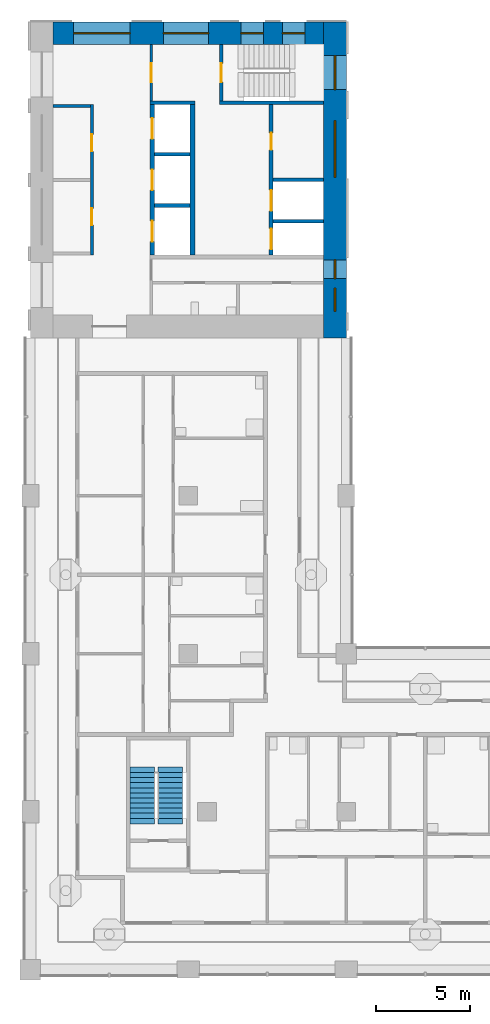
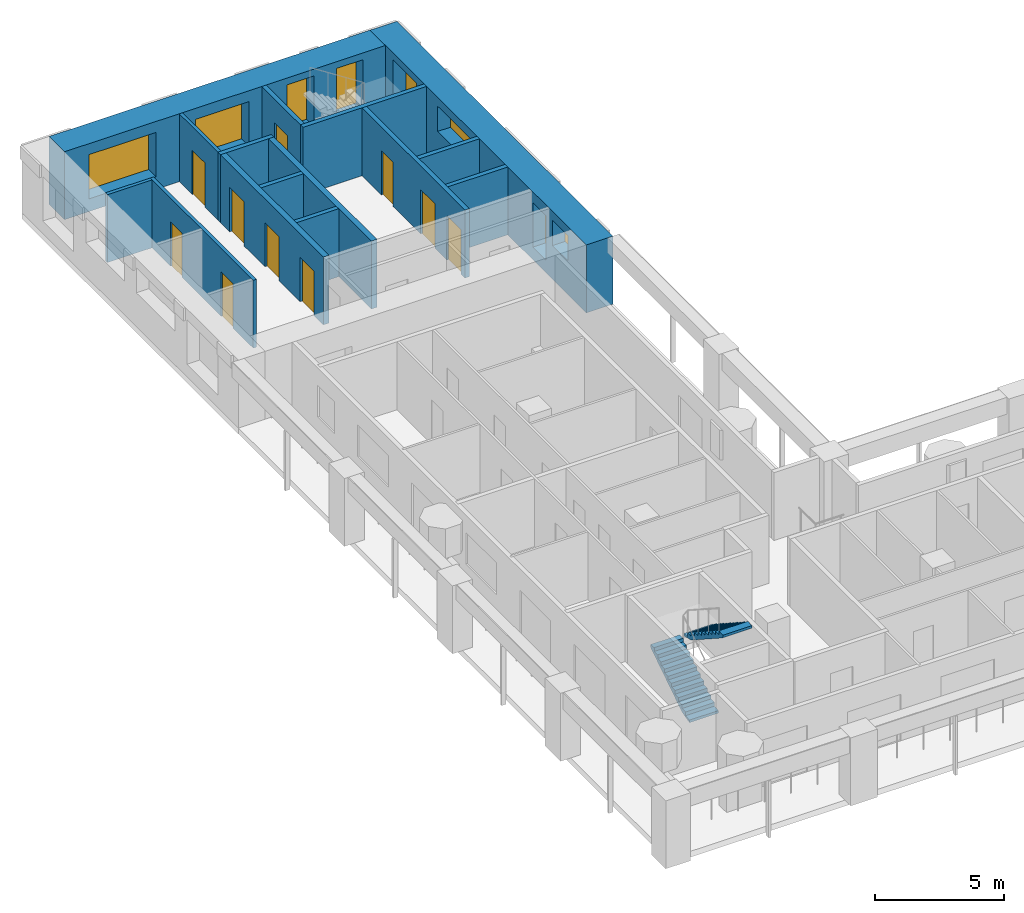
# One storey, part 6 of 13: 15 walls, 10 doors, 8 windows, 2 stair flights, 18 openings, 1 element without a shape of its own.
"""IFC4 building model written with IfcOpenShell, lengths in metres."""

from ifc_helpers import new_model, si_unit, direction, frame, frame_2d, origin, place, context, subcontext, project, spatial, polyline, rectangle, outline, extrude, material, layer, layer_set, type_object, element, fill, aggregate, save


model = new_model("IFC4")

# Units and contexts
model_context = context("Model", 3, precision=1e-05, world=origin(), true_north=direction((0.0, 1.0)))
body_context = subcontext(model_context, "Body", "Model", "MODEL_VIEW")
ifc_project = project(units=[si_unit("LENGTHUNIT", "METRE"), si_unit("AREAUNIT", "SQUARE_METRE"), si_unit("VOLUMEUNIT", "CUBIC_METRE"), si_unit("PLANEANGLEUNIT", "RADIAN"), si_unit("MASSUNIT", "GRAM", prefix="KILO")], contexts=[model_context])

# Site, building, storey
site_placement = place(None, origin())
site = spatial("IfcSite", under=ifc_project, at=site_placement, CompositionType="ELEMENT")
building_placement = place(site_placement, origin())
building = spatial("IfcBuilding", under=site, at=building_placement, Name="Vermilion Gate Residences", CompositionType="ELEMENT")
storey_placement = place(building_placement, frame((0.0, 0.0, 182.699951171875)))
storey = spatial("IfcBuildingStorey", under=building, at=storey_placement, Name="L47", CompositionType="ELEMENT", Elevation=182.699951171875)

# Wall
ifc_material_1 = material(Name="Masonry blockwork", Category="masonry")
ifc_layer_1 = layer(ifc_material_1, 0.14990234375)
ifc_layer_set_1 = layer_set([ifc_layer_1], Name="BLOCKWORK PARTITION 150 EI 120")
wall_type_1 = type_object("IfcWallType", Name="BLOCKWORK PARTITION 150 EI 120", PredefinedType="PARTITIONING", material=ifc_layer_set_1)
wall_1_placement = place(storey_placement, frame((9.60009765625, 54.324951171875, 0.0), z_axis=(0.0, 0.0, 1.0), x_axis=(1.0, 0.0, 0.0)))
element("IfcWall", 1, at=wall_1_placement, inside=storey, type_object=wall_type_1, Name="Core room partition B47-RW-W", PredefinedType="PARTITIONING", context=body_context, shape_type="SweptSolid", body=[
    extrude(rectangle(XDim=2.0, YDim=0.14990234375, at=frame_2d((1.0, 0.0))), origin(), (0.0, 0.0, 1.0), 3.219970703125),
])

# Wall, openings, doors
wall_2_placement = place(storey_placement, frame((11.675048828125, 54.39990234375, 0.0), z_axis=(0.0, 0.0, 1.0), x_axis=(0.0, -1.0, 0.0)))
wall_2 = element("IfcWall", 2, at=wall_2_placement, inside=storey, type_object=wall_type_1, Name="Core room partition B47-LR-F", PredefinedType="PARTITIONING", context=body_context, shape_type="SweptSolid", body=[
    extrude(rectangle(XDim=8.0, YDim=0.14990234375, at=frame_2d((4.0, 0.0))), origin(), (0.0, 0.0, 1.0), 3.219970703125),
])
opening_1_placement = place(wall_2_placement, frame((1.58740234375, 0.0, 0.0)))
opening_1 = element("IfcOpeningElement", 3, at=opening_1_placement, cuts=wall_2, Name="Opening DK47102", PredefinedType="OPENING", context=body_context, shape_type="SweptSolid", body=[
    extrude(rectangle(XDim=0.89990234375, YDim=2.10009765625, at=frame_2d((0.449951171875, 1.050048828125))), frame((0.0, 0.0849609375, 0.0), z_axis=(0.0, -1.0, 0.0), x_axis=(1.0, 0.0, 0.0)), (0.0, 0.0, 1.0), 0.169921875),
])
opening_2_placement = place(wall_2_placement, frame((5.512451171875, 0.0, 0.0)))
opening_2 = element("IfcOpeningElement", 4, at=opening_2_placement, cuts=wall_2, Name="Opening DK47103", PredefinedType="OPENING", context=body_context, shape_type="SweptSolid", body=[
    extrude(rectangle(XDim=0.89990234375, YDim=2.10009765625, at=frame_2d((0.449951171875, 1.050048828125))), frame((0.0, 0.0849609375, 0.0), z_axis=(0.0, -1.0, 0.0), x_axis=(1.0, 0.0, 0.0)), (0.0, 0.0, 1.0), 0.169921875),
])
ifc_material_2 = material(Name="Steel", Category="steel")
door_type_1 = type_object("IfcDoorType", Name="SERVICE ROOM DOOR FD60 900 X 2100", OperationType="SINGLE_SWING_LEFT", PredefinedType="DOOR", material=ifc_material_2)
door_1_placement = place(opening_1_placement, frame((0.89990234375, 0.0, 0.0), z_axis=(0.0, 0.0, 1.0), x_axis=(-1.0, 0.0, 0.0)))
door_1 = element("IfcDoor", 5, at=door_1_placement, inside=storey, type_object=door_type_1, Name="Mail room B47", OperationType="SINGLE_SWING_RIGHT", OverallHeight=2.10009765625, OverallWidth=0.89990234375, PredefinedType="DOOR", context=body_context, shape_type="SweptSolid", body=[
    extrude(rectangle(XDim=0.89990234375, YDim=2.10009765625, at=frame_2d((0.449951171875, 1.050048828125))), frame((0.0, 0.02490234375, 0.0), z_axis=(0.0, -1.0, 0.0), x_axis=(1.0, 0.0, 0.0)), (0.0, 0.0, 1.0), 0.050048828125),
])
fill(opening_1, door_1)
door_2_placement = place(opening_2_placement, frame((0.89990234375, 0.0, 0.0), z_axis=(0.0, 0.0, 1.0), x_axis=(-1.0, 0.0, 0.0)))
door_2 = element("IfcDoor", 6, at=door_2_placement, inside=storey, type_object=door_type_1, Name="Cleaner's store B47", OperationType="SINGLE_SWING_LEFT", OverallHeight=2.10009765625, OverallWidth=0.89990234375, PredefinedType="DOOR", context=body_context, shape_type="SweptSolid", body=[
    extrude(rectangle(XDim=0.89990234375, YDim=2.10009765625, at=frame_2d((0.449951171875, 1.050048828125))), frame((0.0, 0.02490234375, 0.0), z_axis=(0.0, -1.0, 0.0), x_axis=(1.0, 0.0, 0.0)), (0.0, 0.0, 1.0), 0.050048828125),
])
fill(opening_2, door_2)

# Wall, opening, door
wall_3_placement = place(storey_placement, frame((14.824951171875, 57.60009765625, 0.0), z_axis=(0.0, 0.0, 1.0), x_axis=(0.0, -1.0, 0.0)))
wall_3 = element("IfcWall", 7, at=wall_3_placement, inside=storey, type_object=wall_type_1, Name="Core room partition B47-VW-S", PredefinedType="PARTITIONING", context=body_context, shape_type="SweptSolid", body=[
    extrude(rectangle(XDim=3.0, YDim=0.14990234375, at=frame_2d((1.5, 0.0))), origin(), (0.0, 0.0, 1.0), 3.219970703125),
])
opening_3_placement = place(wall_3_placement, frame((1.0, 0.0, 0.0)))
opening_3 = element("IfcOpeningElement", 8, at=opening_3_placement, cuts=wall_3, Name="Opening DK47110", PredefinedType="OPENING", context=body_context, shape_type="SweptSolid", body=[
    extrude(rectangle(XDim=1.0, YDim=2.10009765625, at=frame_2d((0.5, 1.050048828125))), frame((0.0, 0.0849609375, 0.0), z_axis=(0.0, -1.0, 0.0), x_axis=(1.0, 0.0, 0.0)), (0.0, 0.0, 1.0), 0.169921875),
])
ifc_material_3 = material(Name="Steel", Category="steel")
door_type_2 = type_object("IfcDoorType", Name="FIRE DOOR FD60 1000 X 2100", OperationType="SINGLE_SWING_LEFT", PredefinedType="DOOR", material=ifc_material_3)
door_3_placement = place(opening_3_placement, frame((1.0, 0.0, 0.0), z_axis=(0.0, 0.0, 1.0), x_axis=(-1.0, 0.0, 0.0)))
door_3 = element("IfcDoor", 9, at=door_3_placement, inside=storey, type_object=door_type_2, Name="Stair vestibule door B47", OperationType="SINGLE_SWING_RIGHT", OverallHeight=2.10009765625, OverallWidth=1.0, PredefinedType="DOOR", context=body_context, shape_type="SweptSolid", body=[
    extrude(rectangle(XDim=1.0, YDim=2.10009765625, at=frame_2d((0.5, 1.050048828125))), frame((0.0, 0.02490234375, 0.0), z_axis=(0.0, -1.0, 0.0), x_axis=(1.0, 0.0, 0.0)), (0.0, 0.0, 1.0), 0.050048828125),
])
fill(opening_3, door_3)

# Walls
ifc_material_4 = material(Name="Concrete C60", Category="concrete")
ifc_layer_2 = layer(ifc_material_4, 0.199951171875)
ifc_layer_set_2 = layer_set([ifc_layer_2], Name="RC CORE INTERNAL WALL 200 C60")
wall_type_2 = type_object("IfcWallType", Name="RC CORE INTERNAL WALL 200 C60", PredefinedType="SHEAR", material=ifc_layer_set_2)
for number, where, z_axis, x_axis, name in (
    (10, (15.0, 51.7666015625, 0.0), (0.0, 0.0, 1.0), (1.0, 0.0, 0.0), "Core internal wall B47-HR-D1"),
    (11, (15.0, 49.033447265625, 0.0), (0.0, 0.0, 1.0), (1.0, 0.0, 0.0), "Core internal wall B47-HR-D2"),
):
    element("IfcWall", number, at=place(storey_placement, frame(where, z_axis=z_axis, x_axis=x_axis)), inside=storey, type_object=wall_type_2, Name=name, PredefinedType="SHEAR", context=body_context, shape_type="SweptSolid", body=[
        extrude(rectangle(XDim=1.89990234375, YDim=0.199951171875, at=frame_2d((0.949951171875, 0.0))), origin(), (0.0, 0.0, 1.0), 3.219970703125),
    ])
for number, where, z_axis, x_axis, name in (
    (12, (21.300048828125, 50.39990234375, 0.0), (0.0, 0.0, 1.0), (1.0, 0.0, 0.0), "Core internal wall B47-FF-D0"),
    (13, (21.300048828125, 48.199951171875, 0.0), (0.0, 0.0, 1.0), (1.0, 0.0, 0.0), "Core internal wall B47-FF-D1"),
):
    element("IfcWall", number, at=place(storey_placement, frame(where, z_axis=z_axis, x_axis=x_axis)), inside=storey, type_object=wall_type_2, Name=name, PredefinedType="SHEAR", context=body_context, shape_type="SweptSolid", body=[
        extrude(rectangle(XDim=2.699951171875, YDim=0.199951171875, at=frame_2d((1.35009765625, 0.0))), origin(), (0.0, 0.0, 1.0), 3.219970703125),
    ])

# Wall, openings, doors
wall_4_placement = place(storey_placement, frame((21.199951171875, 54.39990234375, 0.0), z_axis=(0.0, 0.0, 1.0), x_axis=(0.0, -1.0, 0.0)))
wall_4 = element("IfcWall", 14, at=wall_4_placement, inside=storey, type_object=wall_type_2, Name="Core internal wall B47-FF-F", PredefinedType="SHEAR", context=body_context, shape_type="SweptSolid", body=[
    extrude(rectangle(XDim=8.0, YDim=0.199951171875, at=frame_2d((4.0, 0.0))), origin(), (0.0, 0.0, 1.0), 3.219970703125),
])
opening_4_placement = place(wall_4_placement, frame((1.5, 0.0, 0.0)))
opening_4 = element("IfcOpeningElement", 15, at=opening_4_placement, cuts=wall_4, Name="Opening DK47107", PredefinedType="OPENING", context=body_context, shape_type="SweptSolid", body=[
    extrude(rectangle(XDim=0.89990234375, YDim=2.10009765625, at=frame_2d((0.449951171875, 1.050048828125))), frame((0.0, 0.10986328125, 0.0), z_axis=(0.0, -1.0, 0.0), x_axis=(1.0, 0.0, 0.0)), (0.0, 0.0, 1.0), 0.219970703125),
])
opening_5_placement = place(wall_4_placement, frame((4.550048828125, 0.0, 0.0)))
opening_5 = element("IfcOpeningElement", 16, at=opening_5_placement, cuts=wall_4, Name="Opening LD", PredefinedType="OPENING", context=body_context, shape_type="SweptSolid", body=[
    extrude(rectangle(XDim=1.10009765625, YDim=2.10009765625, at=frame_2d((0.550048828125, 1.050048828125))), frame((0.0, 0.10986328125, 0.0), z_axis=(0.0, -1.0, 0.0), x_axis=(1.0, 0.0, 0.0)), (0.0, 0.0, 1.0), 0.219970703125),
])
opening_6_placement = place(wall_4_placement, frame((6.60009765625, 0.0, 0.0)))
opening_6 = element("IfcOpeningElement", 17, at=opening_6_placement, cuts=wall_4, Name="Opening LD", PredefinedType="OPENING", context=body_context, shape_type="SweptSolid", body=[
    extrude(rectangle(XDim=1.10009765625, YDim=2.10009765625, at=frame_2d((0.550048828125, 1.050048828125))), frame((0.0, 0.10986328125, 0.0), z_axis=(0.0, -1.0, 0.0), x_axis=(1.0, 0.0, 0.0)), (0.0, 0.0, 1.0), 0.219970703125),
])
ifc_material_5 = material(Name="Stainless steel", Category="steel")
door_type_3 = type_object("IfcDoorType", Name="LIFT LANDING DOOR E60 1100 X 2100", OperationType="DOUBLE_DOOR_SLIDING", PredefinedType="DOOR", material=ifc_material_5)
door_4_placement = place(opening_5_placement, origin())
door_4 = element("IfcDoor", 18, at=door_4_placement, inside=storey, type_object=door_type_3, Name="Lift landing door LFB1", OperationType="DOUBLE_DOOR_SLIDING", OverallHeight=2.10009765625, OverallWidth=1.10009765625, PredefinedType="DOOR", context=body_context, shape_type="SweptSolid", body=[
    extrude(rectangle(XDim=1.10009765625, YDim=2.10009765625, at=frame_2d((0.550048828125, 1.050048828125))), frame((0.0, 0.02490234375, 0.0), z_axis=(0.0, -1.0, 0.0), x_axis=(1.0, 0.0, 0.0)), (0.0, 0.0, 1.0), 0.050048828125),
])
fill(opening_5, door_4)
door_5_placement = place(opening_6_placement, origin())
door_5 = element("IfcDoor", 19, at=door_5_placement, inside=storey, type_object=door_type_3, Name="Lift landing door LCB1", OperationType="DOUBLE_DOOR_SLIDING", OverallHeight=2.10009765625, OverallWidth=1.10009765625, PredefinedType="DOOR", context=body_context, shape_type="SweptSolid", body=[
    extrude(rectangle(XDim=1.10009765625, YDim=2.10009765625, at=frame_2d((0.550048828125, 1.050048828125))), frame((0.0, 0.02490234375, 0.0), z_axis=(0.0, -1.0, 0.0), x_axis=(1.0, 0.0, 0.0)), (0.0, 0.0, 1.0), 0.050048828125),
])
fill(opening_6, door_5)
door_6_placement = place(opening_4_placement, origin())
door_6 = element("IfcDoor", 20, at=door_6_placement, inside=storey, type_object=door_type_1, Name="Housekeeping store B47", OperationType="SINGLE_SWING_LEFT", OverallHeight=2.10009765625, OverallWidth=0.89990234375, PredefinedType="DOOR", context=body_context, shape_type="SweptSolid", body=[
    extrude(rectangle(XDim=0.89990234375, YDim=2.10009765625, at=frame_2d((0.449951171875, 1.050048828125))), frame((0.0, 0.02490234375, 0.0), z_axis=(0.0, -1.0, 0.0), x_axis=(1.0, 0.0, 0.0)), (0.0, 0.0, 1.0), 0.050048828125),
])
fill(opening_4, door_6)

# Walls
wall_5_placement = place(storey_placement, frame((14.75, 54.5, 0.0), z_axis=(0.0, 0.0, 1.0), x_axis=(1.0, 0.0, 0.0)))
element("IfcWall", 21, at=wall_5_placement, inside=storey, type_object=wall_type_2, Name="Core internal wall B47-WDIV1", PredefinedType="SHEAR", context=body_context, shape_type="SweptSolid", body=[
    extrude(rectangle(XDim=2.39990234375, YDim=0.199951171875, at=frame_2d((1.199951171875, 0.0))), origin(), (0.0, 0.0, 1.0), 3.219970703125),
])
wall_6_placement = place(storey_placement, frame((18.449951171875, 54.5, 0.0), z_axis=(0.0, 0.0, 1.0), x_axis=(1.0, 0.0, 0.0)))
element("IfcWall", 22, at=wall_6_placement, inside=storey, type_object=wall_type_2, Name="Core internal wall B47-WDIV2", PredefinedType="SHEAR", context=body_context, shape_type="SweptSolid", body=[
    extrude(rectangle(XDim=5.550048828125, YDim=0.199951171875, at=frame_2d((2.77490234375, 0.0))), origin(), (0.0, 0.0, 1.0), 3.219970703125),
])

# Wall, opening, door
wall_7_placement = place(storey_placement, frame((18.550048828125, 57.60009765625, 0.0), z_axis=(0.0, 0.0, 1.0), x_axis=(0.0, -1.0, 0.0)))
wall_7 = element("IfcWall", 23, at=wall_7_placement, inside=storey, type_object=wall_type_2, Name="Core internal wall B47-STW-S", PredefinedType="SHEAR", context=body_context, shape_type="SweptSolid", body=[
    extrude(rectangle(XDim=3.0, YDim=0.199951171875, at=frame_2d((1.5, 0.0))), origin(), (0.0, 0.0, 1.0), 3.219970703125),
])
opening_7_placement = place(wall_7_placement, frame((1.0, 0.0, 0.0)))
opening_7 = element("IfcOpeningElement", 24, at=opening_7_placement, cuts=wall_7, Name="Opening DK47111", PredefinedType="OPENING", context=body_context, shape_type="SweptSolid", body=[
    extrude(rectangle(XDim=1.0, YDim=2.10009765625, at=frame_2d((0.5, 1.050048828125))), frame((0.0, 0.10986328125, 0.0), z_axis=(0.0, -1.0, 0.0), x_axis=(1.0, 0.0, 0.0)), (0.0, 0.0, 1.0), 0.219970703125),
])
door_7_placement = place(opening_7_placement, origin())
door_7 = element("IfcDoor", 25, at=door_7_placement, inside=storey, type_object=door_type_2, Name="Stair door B47", OperationType="SINGLE_SWING_LEFT", OverallHeight=2.10009765625, OverallWidth=1.0, PredefinedType="DOOR", context=body_context, shape_type="SweptSolid", body=[
    extrude(rectangle(XDim=1.0, YDim=2.10009765625, at=frame_2d((0.5, 1.050048828125))), frame((0.0, 0.02490234375, 0.0), z_axis=(0.0, -1.0, 0.0), x_axis=(1.0, 0.0, 0.0)), (0.0, 0.0, 1.0), 0.050048828125),
])
fill(opening_7, door_7)

# Wall, openings, windows
ifc_material_6 = material(Name="Concrete C60 red-oxide pigmented", Category="concrete")
ifc_layer_3 = layer(ifc_material_6, 1.199951171875)
ifc_layer_set_3 = layer_set([ifc_layer_3], Name="RC CORE WALL 1200 C60 RED OXIDE")
wall_type_3 = type_object("IfcWallType", Name="RC CORE WALL 1200 C60 RED OXIDE", PredefinedType="SHEAR", material=ifc_layer_set_3)
wall_8_placement = place(storey_placement, frame((24.60009765625, 58.800048828125, 0.0), z_axis=(0.0, 0.0, 1.0), x_axis=(0.0, -1.0, 0.0)))
wall_8 = element("IfcWall", 26, at=wall_8_placement, inside=storey, type_object=wall_type_3, Name="Core wall B47-OUT-B1", PredefinedType="SHEAR", context=body_context, shape_type="SweptSolid", body=[
    extrude(rectangle(XDim=16.800048828125, YDim=1.199951171875, at=frame_2d((8.39990234375, 0.0))), origin(), (0.0, 0.0, 1.0), 3.219970703125),
])
opening_8_placement = place(wall_8_placement, frame((1.800048828125, 0.0, 0.5)))
opening_8 = element("IfcOpeningElement", 27, at=opening_8_placement, cuts=wall_8, Name="Opening WKB4705", PredefinedType="OPENING", context=body_context, shape_type="SweptSolid", body=[
    extrude(rectangle(XDim=1.800048828125, YDim=2.39990234375, at=frame_2d((0.89990234375, 1.199951171875))), frame((0.0, 0.60986328125, 0.0), z_axis=(0.0, -1.0, 0.0), x_axis=(1.0, 0.0, 0.0)), (0.0, 0.0, 1.0), 1.219970703125),
])
opening_9_placement = place(wall_8_placement, frame((5.25, 0.0, 1.60009765625)))
opening_9 = element("IfcOpeningElement", 28, at=opening_9_placement, cuts=wall_8, Name="Opening WKB4706", PredefinedType="OPENING", context=body_context, shape_type="SweptSolid", body=[
    extrude(rectangle(XDim=3.0, YDim=1.199951171875, at=frame_2d((1.5, 0.60009765625))), frame((0.0, 0.60986328125, 0.0), z_axis=(0.0, -1.0, 0.0), x_axis=(1.0, 0.0, 0.0)), (0.0, 0.0, 1.0), 1.219970703125),
])
opening_10_placement = place(wall_8_placement, frame((12.64990234375, 0.0, 0.60009765625)))
opening_10 = element("IfcOpeningElement", 29, at=opening_10_placement, cuts=wall_8, Name="Opening WKB4707", PredefinedType="OPENING", context=body_context, shape_type="SweptSolid", body=[
    extrude(rectangle(XDim=1.0, YDim=2.10009765625, at=frame_2d((0.5, 1.050048828125))), frame((0.0, 0.60986328125, 0.0), z_axis=(0.0, -1.0, 0.0), x_axis=(1.0, 0.0, 0.0)), (0.0, 0.0, 1.0), 1.219970703125),
])
opening_11_placement = place(wall_8_placement, frame((14.175048828125, 0.0, 1.60009765625)))
opening_11 = element("IfcOpeningElement", 30, at=opening_11_placement, cuts=wall_8, Name="Opening WKB4708", PredefinedType="OPENING", context=body_context, shape_type="SweptSolid", body=[
    extrude(rectangle(XDim=1.199951171875, YDim=1.199951171875, at=frame_2d((0.60009765625, 0.60009765625))), frame((0.0, 0.60986328125, 0.0), z_axis=(0.0, -1.0, 0.0), x_axis=(1.0, 0.0, 0.0)), (0.0, 0.0, 1.0), 1.219970703125),
])
ifc_material_7 = material(Name="Aluminium and clear glass", Category="aluminium")
window_type_1 = type_object("IfcWindowType", Name="CORE CORRIDOR WINDOW 1000 X 2100", PartitioningType="SINGLE_PANEL", PredefinedType="WINDOW", material=ifc_material_7)
window_1_placement = place(opening_10_placement, origin())
window_1 = element("IfcWindow", 31, at=window_1_placement, inside=storey, type_object=window_type_1, Name="Core corridor window", OverallHeight=2.10009765625, OverallWidth=1.0, PartitioningType="SINGLE_PANEL", PredefinedType="WINDOW", context=body_context, shape_type="SweptSolid", body=[
    extrude(rectangle(XDim=1.0, YDim=2.10009765625, at=frame_2d((0.5, 1.050048828125))), frame((0.0, 0.030029296875, 0.0), z_axis=(0.0, -1.0, 0.0), x_axis=(1.0, 0.0, 0.0)), (0.0, 0.0, 1.0), 0.06005859375),
])
fill(opening_10, window_1)
ifc_material_8 = material(Name="Aluminium frame with louvre blades", Category="aluminium")
window_type_2 = type_object("IfcWindowType", Name="CORE LOUVRE 1200 X 1200", PartitioningType="SINGLE_PANEL", PredefinedType="WINDOW", material=ifc_material_8)
window_2_placement = place(opening_11_placement, origin())
window_2 = element("IfcWindow", 32, at=window_2_placement, inside=storey, type_object=window_type_2, Name="Core louvre", OverallHeight=1.199951171875, OverallWidth=1.199951171875, PartitioningType="SINGLE_PANEL", PredefinedType="WINDOW", context=body_context, shape_type="SweptSolid", body=[
    extrude(rectangle(XDim=1.199951171875, YDim=1.199951171875, at=frame_2d((0.60009765625, 0.60009765625))), frame((0.0, 0.030029296875, 0.0), z_axis=(0.0, -1.0, 0.0), x_axis=(1.0, 0.0, 0.0)), (0.0, 0.0, 1.0), 0.06005859375),
])
fill(opening_11, window_2)
ifc_material_9 = material(Name="Aluminium frame with louvre blades", Category="aluminium")
window_type_3 = type_object("IfcWindowType", Name="CORE LOUVRE 3000 X 1200", PartitioningType="SINGLE_PANEL", PredefinedType="WINDOW", material=ifc_material_9)
window_3_placement = place(opening_9_placement, origin())
window_3 = element("IfcWindow", 33, at=window_3_placement, inside=storey, type_object=window_type_3, Name="Core louvre", OverallHeight=1.199951171875, OverallWidth=3.0, PartitioningType="SINGLE_PANEL", PredefinedType="WINDOW", context=body_context, shape_type="SweptSolid", body=[
    extrude(rectangle(XDim=3.0, YDim=1.199951171875, at=frame_2d((1.5, 0.60009765625))), frame((0.0, 0.030029296875, 0.0), z_axis=(0.0, -1.0, 0.0), x_axis=(1.0, 0.0, 0.0)), (0.0, 0.0, 1.0), 0.06005859375),
])
fill(opening_9, window_3)
ifc_material_10 = material(Name="Aluminium and clear glass", Category="aluminium")
window_type_4 = type_object("IfcWindowType", Name="CORE STAIR WINDOW 1800 X 2400", PartitioningType="SINGLE_PANEL", PredefinedType="WINDOW", material=ifc_material_10)
window_4_placement = place(opening_8_placement, origin())
window_4 = element("IfcWindow", 34, at=window_4_placement, inside=storey, type_object=window_type_4, Name="Core stair window", OverallHeight=2.39990234375, OverallWidth=1.800048828125, PartitioningType="SINGLE_PANEL", PredefinedType="WINDOW", context=body_context, shape_type="SweptSolid", body=[
    extrude(rectangle(XDim=1.800048828125, YDim=2.39990234375, at=frame_2d((0.89990234375, 1.199951171875))), frame((0.0, 0.030029296875, 0.0), z_axis=(0.0, -1.0, 0.0), x_axis=(1.0, 0.0, 0.0)), (0.0, 0.0, 1.0), 0.06005859375),
])
fill(opening_8, window_4)

wall_9_placement = place(storey_placement, frame((9.60009765625, 58.199951171875, 0.0), z_axis=(0.0, 0.0, 1.0), x_axis=(1.0, 0.0, 0.0)))
wall_9 = element("IfcWall", 35, at=wall_9_placement, inside=storey, type_object=wall_type_3, Name="Core wall B47-OUT-FR", PredefinedType="SHEAR", context=body_context, shape_type="SweptSolid", body=[
    extrude(rectangle(XDim=14.39990234375, YDim=1.199951171875, at=frame_2d((7.199951171875, 0.0))), origin(), (0.0, 0.0, 1.0), 3.219970703125),
])
opening_12_placement = place(wall_9_placement, frame((1.10498046875, 0.0, 0.60009765625)))
opening_12 = element("IfcOpeningElement", 36, at=opening_12_placement, cuts=wall_9, Name="Opening WKB4709", PredefinedType="OPENING", context=body_context, shape_type="SweptSolid", body=[
    extrude(rectangle(XDim=3.0, YDim=2.10009765625, at=frame_2d((1.5, 1.050048828125))), frame((0.0, 0.60986328125, 0.0), z_axis=(0.0, -1.0, 0.0), x_axis=(1.0, 0.0, 0.0)), (0.0, 0.0, 1.0), 1.219970703125),
])
opening_13_placement = place(wall_9_placement, frame((5.875, 0.0, 0.60009765625)))
opening_13 = element("IfcOpeningElement", 37, at=opening_13_placement, cuts=wall_9, Name="Opening WKB4710", PredefinedType="OPENING", context=body_context, shape_type="SweptSolid", body=[
    extrude(rectangle(XDim=2.39990234375, YDim=2.10009765625, at=frame_2d((1.199951171875, 1.050048828125))), frame((0.0, 0.60986328125, 0.0), z_axis=(0.0, -1.0, 0.0), x_axis=(1.0, 0.0, 0.0)), (0.0, 0.0, 1.0), 1.219970703125),
])
opening_14_placement = place(wall_9_placement, frame((9.993408203125, 0.0, 0.5)))
opening_14 = element("IfcOpeningElement", 38, at=opening_14_placement, cuts=wall_9, Name="Opening WKB4711", PredefinedType="OPENING", context=body_context, shape_type="SweptSolid", body=[
    extrude(rectangle(XDim=1.199951171875, YDim=2.39990234375, at=frame_2d((0.60009765625, 1.199951171875))), frame((0.0, 0.60986328125, 0.0), z_axis=(0.0, -1.0, 0.0), x_axis=(1.0, 0.0, 0.0)), (0.0, 0.0, 1.0), 1.219970703125),
])
opening_15_placement = place(wall_9_placement, frame((12.19677734375, 0.0, 0.5)))
opening_15 = element("IfcOpeningElement", 39, at=opening_15_placement, cuts=wall_9, Name="Opening WKB4712", PredefinedType="OPENING", context=body_context, shape_type="SweptSolid", body=[
    extrude(rectangle(XDim=1.199951171875, YDim=2.39990234375, at=frame_2d((0.60009765625, 1.199951171875))), frame((0.0, 0.60986328125, 0.0), z_axis=(0.0, -1.0, 0.0), x_axis=(1.0, 0.0, 0.0)), (0.0, 0.0, 1.0), 1.219970703125),
])
ifc_material_11 = material(Name="Aluminium and clear glass", Category="aluminium")
window_type_5 = type_object("IfcWindowType", Name="CORE LOBBY WINDOW 2400 X 2100", PartitioningType="SINGLE_PANEL", PredefinedType="WINDOW", material=ifc_material_11)
window_5_placement = place(opening_13_placement, origin())
window_5 = element("IfcWindow", 40, at=window_5_placement, inside=storey, type_object=window_type_5, Name="Core lobby window", OverallHeight=2.10009765625, OverallWidth=2.39990234375, PartitioningType="SINGLE_PANEL", PredefinedType="WINDOW", context=body_context, shape_type="SweptSolid", body=[
    extrude(rectangle(XDim=2.39990234375, YDim=2.10009765625, at=frame_2d((1.199951171875, 1.050048828125))), frame((0.0, 0.030029296875, 0.0), z_axis=(0.0, -1.0, 0.0), x_axis=(1.0, 0.0, 0.0)), (0.0, 0.0, 1.0), 0.06005859375),
])
fill(opening_13, window_5)
ifc_material_12 = material(Name="Aluminium and clear glass", Category="aluminium")
window_type_6 = type_object("IfcWindowType", Name="CORE LOBBY WINDOW 3000 X 2100", PartitioningType="SINGLE_PANEL", PredefinedType="WINDOW", material=ifc_material_12)
window_6_placement = place(opening_12_placement, origin())
window_6 = element("IfcWindow", 41, at=window_6_placement, inside=storey, type_object=window_type_6, Name="Core lobby window", OverallHeight=2.10009765625, OverallWidth=3.0, PartitioningType="SINGLE_PANEL", PredefinedType="WINDOW", context=body_context, shape_type="SweptSolid", body=[
    extrude(rectangle(XDim=3.0, YDim=2.10009765625, at=frame_2d((1.5, 1.050048828125))), frame((0.0, 0.030029296875, 0.0), z_axis=(0.0, -1.0, 0.0), x_axis=(1.0, 0.0, 0.0)), (0.0, 0.0, 1.0), 0.06005859375),
])
fill(opening_12, window_6)
ifc_material_13 = material(Name="Aluminium and clear glass", Category="aluminium")
window_type_7 = type_object("IfcWindowType", Name="CORE STAIR WINDOW 1200 X 2400", PartitioningType="SINGLE_PANEL", PredefinedType="WINDOW", material=ifc_material_13)
window_7_placement = place(opening_14_placement, origin())
window_7 = element("IfcWindow", 42, at=window_7_placement, inside=storey, type_object=window_type_7, Name="Core stair window", OverallHeight=2.39990234375, OverallWidth=1.199951171875, PartitioningType="SINGLE_PANEL", PredefinedType="WINDOW", context=body_context, shape_type="SweptSolid", body=[
    extrude(rectangle(XDim=1.199951171875, YDim=2.39990234375, at=frame_2d((0.60009765625, 1.199951171875))), frame((0.0, 0.030029296875, 0.0), z_axis=(0.0, -1.0, 0.0), x_axis=(1.0, 0.0, 0.0)), (0.0, 0.0, 1.0), 0.06005859375),
])
fill(opening_14, window_7)
window_8_placement = place(opening_15_placement, origin())
window_8 = element("IfcWindow", 43, at=window_8_placement, inside=storey, type_object=window_type_7, Name="Core stair window", OverallHeight=2.39990234375, OverallWidth=1.199951171875, PartitioningType="SINGLE_PANEL", PredefinedType="WINDOW", context=body_context, shape_type="SweptSolid", body=[
    extrude(rectangle(XDim=1.199951171875, YDim=2.39990234375, at=frame_2d((0.60009765625, 1.199951171875))), frame((0.0, 0.030029296875, 0.0), z_axis=(0.0, -1.0, 0.0), x_axis=(1.0, 0.0, 0.0)), (0.0, 0.0, 1.0), 0.06005859375),
])
fill(opening_15, window_8)

# Wall, openings, doors
ifc_material_14 = material(Name="Concrete C60", Category="concrete")
ifc_layer_4 = layer(ifc_material_14, 0.25)
ifc_layer_set_4 = layer_set([ifc_layer_4], Name="RC LIFT SHAFT WALL 250 C60")
wall_type_4 = type_object("IfcWallType", Name="RC LIFT SHAFT WALL 250 C60", PredefinedType="SHEAR", material=ifc_layer_set_4)
wall_10_placement = place(storey_placement, frame((14.875, 54.39990234375, 0.0), z_axis=(0.0, 0.0, 1.0), x_axis=(0.0, -1.0, 0.0)))
wall_10 = element("IfcWall", 44, at=wall_10_placement, inside=storey, type_object=wall_type_4, Name="Lift shaft wall B47-HR-F", PredefinedType="SHEAR", context=body_context, shape_type="SweptSolid", body=[
    extrude(rectangle(XDim=8.0, YDim=0.25, at=frame_2d((4.0, 0.0))), origin(), (0.0, 0.0, 1.0), 3.219970703125),
])
opening_16_placement = place(wall_10_placement, frame((0.716552734375, 0.0, 0.0)))
opening_16 = element("IfcOpeningElement", 45, at=opening_16_placement, cuts=wall_10, Name="Opening LD", PredefinedType="OPENING", context=body_context, shape_type="SweptSolid", body=[
    extrude(rectangle(XDim=1.10009765625, YDim=2.10009765625, at=frame_2d((0.550048828125, 1.050048828125))), frame((0.0, 0.135009765625, 0.0), z_axis=(0.0, -1.0, 0.0), x_axis=(1.0, 0.0, 0.0)), (0.0, 0.0, 1.0), 0.27001953125),
])
opening_17_placement = place(wall_10_placement, frame((3.449951171875, 0.0, 0.0)))
opening_17 = element("IfcOpeningElement", 46, at=opening_17_placement, cuts=wall_10, Name="Opening LD", PredefinedType="OPENING", context=body_context, shape_type="SweptSolid", body=[
    extrude(rectangle(XDim=1.10009765625, YDim=2.10009765625, at=frame_2d((0.550048828125, 1.050048828125))), frame((0.0, 0.135009765625, 0.0), z_axis=(0.0, -1.0, 0.0), x_axis=(1.0, 0.0, 0.0)), (0.0, 0.0, 1.0), 0.27001953125),
])
opening_18_placement = place(wall_10_placement, frame((6.183349609375, 0.0, 0.0)))
opening_18 = element("IfcOpeningElement", 47, at=opening_18_placement, cuts=wall_10, Name="Opening LD", PredefinedType="OPENING", context=body_context, shape_type="SweptSolid", body=[
    extrude(rectangle(XDim=1.10009765625, YDim=2.10009765625, at=frame_2d((0.550048828125, 1.050048828125))), frame((0.0, 0.135009765625, 0.0), z_axis=(0.0, -1.0, 0.0), x_axis=(1.0, 0.0, 0.0)), (0.0, 0.0, 1.0), 0.27001953125),
])
door_8_placement = place(opening_16_placement, origin())
door_8 = element("IfcDoor", 48, at=door_8_placement, inside=storey, type_object=door_type_3, Name="Lift landing door HRB1", OperationType="DOUBLE_DOOR_SLIDING", OverallHeight=2.10009765625, OverallWidth=1.10009765625, PredefinedType="DOOR", context=body_context, shape_type="SweptSolid", body=[
    extrude(rectangle(XDim=1.10009765625, YDim=2.10009765625, at=frame_2d((0.550048828125, 1.050048828125))), frame((0.0, 0.02490234375, 0.0), z_axis=(0.0, -1.0, 0.0), x_axis=(1.0, 0.0, 0.0)), (0.0, 0.0, 1.0), 0.050048828125),
])
fill(opening_16, door_8)
door_9_placement = place(opening_17_placement, origin())
door_9 = element("IfcDoor", 49, at=door_9_placement, inside=storey, type_object=door_type_3, Name="Lift landing door HRB2", OperationType="DOUBLE_DOOR_SLIDING", OverallHeight=2.10009765625, OverallWidth=1.10009765625, PredefinedType="DOOR", context=body_context, shape_type="SweptSolid", body=[
    extrude(rectangle(XDim=1.10009765625, YDim=2.10009765625, at=frame_2d((0.550048828125, 1.050048828125))), frame((0.0, 0.02490234375, 0.0), z_axis=(0.0, -1.0, 0.0), x_axis=(1.0, 0.0, 0.0)), (0.0, 0.0, 1.0), 0.050048828125),
])
fill(opening_17, door_9)
door_10_placement = place(opening_18_placement, origin())
door_10 = element("IfcDoor", 50, at=door_10_placement, inside=storey, type_object=door_type_3, Name="Lift landing door HRB3", OperationType="DOUBLE_DOOR_SLIDING", OverallHeight=2.10009765625, OverallWidth=1.10009765625, PredefinedType="DOOR", context=body_context, shape_type="SweptSolid", body=[
    extrude(rectangle(XDim=1.10009765625, YDim=2.10009765625, at=frame_2d((0.550048828125, 1.050048828125))), frame((0.0, 0.02490234375, 0.0), z_axis=(0.0, -1.0, 0.0), x_axis=(1.0, 0.0, 0.0)), (0.0, 0.0, 1.0), 0.050048828125),
])
fill(opening_18, door_10)

# Wall
wall_11_placement = place(storey_placement, frame((17.02490234375, 54.39990234375, 0.0), z_axis=(0.0, 0.0, 1.0), x_axis=(0.0, -1.0, 0.0)))
element("IfcWall", 51, at=wall_11_placement, inside=storey, type_object=wall_type_4, Name="Lift shaft wall B47-HR-B", PredefinedType="SHEAR", context=body_context, shape_type="SweptSolid", body=[
    extrude(rectangle(XDim=8.0, YDim=0.25, at=frame_2d((4.0, 0.0))), origin(), (0.0, 0.0, 1.0), 3.219970703125),
])

# Stair, stair flights
ifc_material_15 = material(Name="Concrete C50", Category="concrete")
stair_type = type_object("IfcStairType", Name="SPECIAL ESCAPE STAIR 1300", PredefinedType="HALF_TURN_STAIR", material=ifc_material_15)
stair_placement = place(storey_placement, origin())
stair = element("IfcStair", 52, at=stair_placement, inside=storey, type_object=stair_type, Name="Special escape stair STC1-47", PredefinedType="HALF_TURN_STAIR")
ifc_material_16 = material(Name="Concrete C50", Category="concrete")
stair_flight_type = type_object("IfcStairFlightType", Name="STAIR FLIGHT 1300 RC C50", PredefinedType="STRAIGHT", material=ifc_material_16)
stair_flight_1_placement = place(storey_placement, frame((14.35009765625, 16.449951171875, 0.0), z_axis=(0.0, 0.0, 1.0), x_axis=(0.0, 1.0, 0.0)))
stair_flight_1 = element("IfcStairFlight", 53, at=stair_flight_1_placement, type_object=stair_flight_type, Name="STC1-47 flight 1", NumberOfRisers=10, NumberOfTreads=9, PredefinedType="STRAIGHT", RiserHeight=0.175, TreadLength=0.27, context=body_context, shape_type="SweptSolid", body=[
    extrude(outline(polyline([(-0.300048828125, -0.14990234375), (-0.300048828125, -0.030029296875), (0.0, 0.0), (0.0, 0.175048828125), (0.27001953125, 0.175048828125), (0.27001953125, 0.35009765625), (0.5400390625, 0.35009765625), (0.5400390625, 0.52490234375), (0.81005859375, 0.52490234375), (0.81005859375, 0.699951171875), (1.080078125, 0.699951171875), (1.080078125, 0.875), (1.35009765625, 0.875), (1.35009765625, 1.050048828125), (1.6201171875, 1.050048828125), (1.6201171875, 1.22509765625), (1.889892578125, 1.22509765625), (1.889892578125, 1.39990234375), (2.159912109375, 1.39990234375), (2.159912109375, 1.574951171875), (2.429931640625, 1.574951171875), (2.429931640625, 1.75), (2.72998046875, 1.719970703125), (2.72998046875, 1.60009765625), (2.429931640625, 1.396484375), (0.275634765625, 0.0), (-0.300048828125, -0.14990234375)])), frame((0.0, 0.64990234375, 0.0), z_axis=(0.0, -1.0, 0.0), x_axis=(1.0, 0.0, 0.0)), (0.0, 0.0, 1.0), 1.300048828125),
])
stair_flight_2_placement = place(storey_placement, frame((15.85009765625, 18.8798828125, 1.75), z_axis=(0.0, 0.0, 1.0), x_axis=(0.0, -1.0, 0.0)))
stair_flight_2 = element("IfcStairFlight", 54, at=stair_flight_2_placement, type_object=stair_flight_type, Name="STC1-47 flight 2", NumberOfRisers=10, NumberOfTreads=9, PredefinedType="STRAIGHT", RiserHeight=0.175, TreadLength=0.27, context=body_context, shape_type="SweptSolid", body=[
    extrude(outline(polyline([(-0.300048828125, -0.14990234375), (-0.300048828125, -0.030029296875), (0.0, 0.0), (0.0, 0.175048828125), (0.27001953125, 0.175048828125), (0.27001953125, 0.35009765625), (0.5400390625, 0.35009765625), (0.5400390625, 0.52490234375), (0.81005859375, 0.52490234375), (0.81005859375, 0.699951171875), (1.080078125, 0.699951171875), (1.080078125, 0.875), (1.35009765625, 0.875), (1.35009765625, 1.050048828125), (1.6201171875, 1.050048828125), (1.6201171875, 1.22509765625), (1.889892578125, 1.22509765625), (1.889892578125, 1.39990234375), (2.159912109375, 1.39990234375), (2.159912109375, 1.574951171875), (2.429931640625, 1.574951171875), (2.429931640625, 1.75), (2.72998046875, 1.719970703125), (2.72998046875, 1.60009765625), (2.429931640625, 1.396484375), (0.275634765625, 0.0), (-0.300048828125, -0.14990234375)])), frame((0.0, 0.64990234375, 0.0), z_axis=(0.0, -1.0, 0.0), x_axis=(1.0, 0.0, 0.0)), (0.0, 0.0, 1.0), 1.300048828125),
])
aggregate(stair, [stair_flight_1, stair_flight_2])

save(model, "model.ifc")
